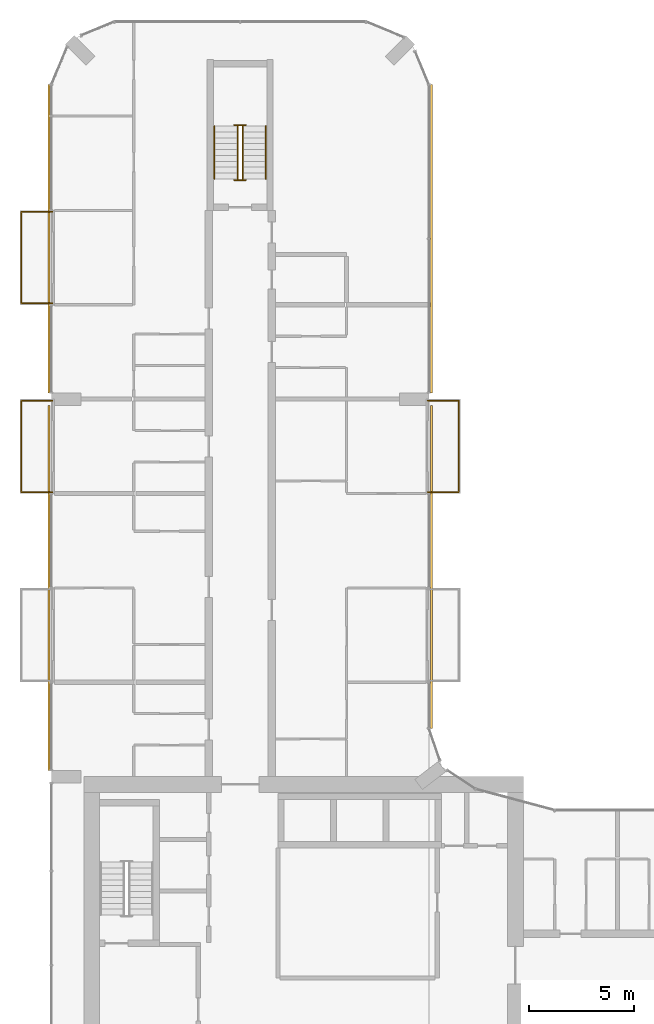
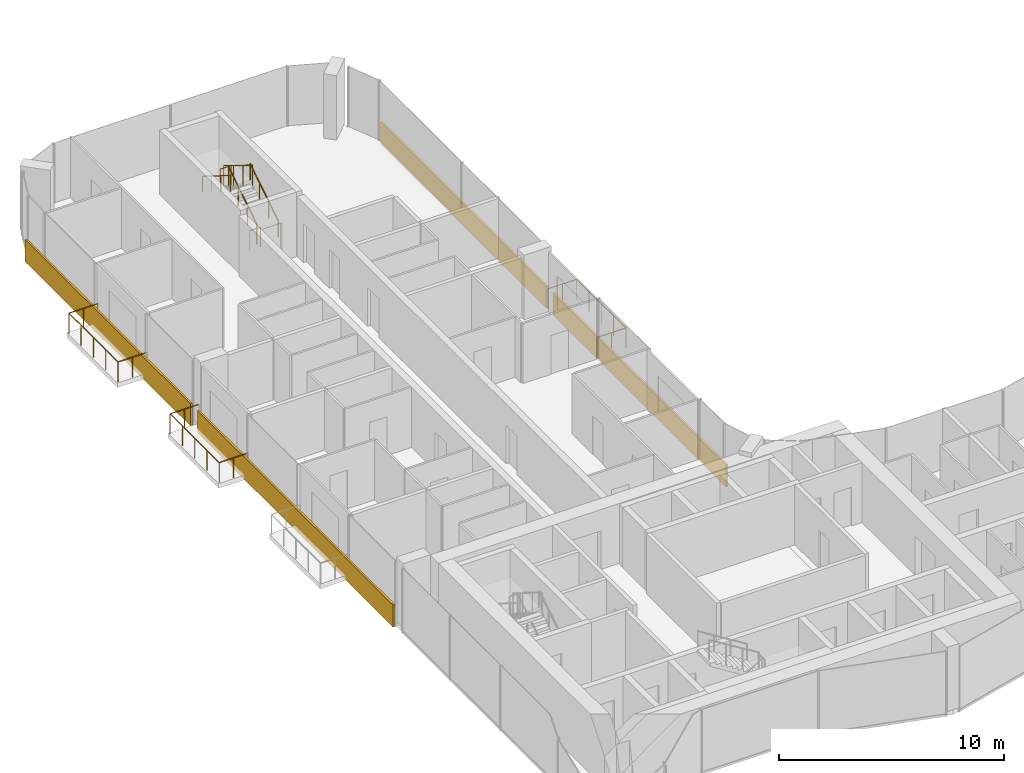
# One storey, part 22 of 23: 9 railings, 4 coverings.
"""IFC4 building model written with IfcOpenShell, lengths in metres."""

from ifc_helpers import new_model, si_unit, direction, frame, origin, origin_2d, place, context, subcontext, project, spatial, rectangle, circle, extrude, material, layer, layer_set, type_object, element, save


model = new_model("IFC4")

# Units and contexts
model_context = context("Model", 3, precision=1e-05, world=origin(), true_north=direction((0.0, 1.0)))
body_context = subcontext(model_context, "Body", "Model", "MODEL_VIEW")
ifc_project = project(units=[si_unit("LENGTHUNIT", "METRE"), si_unit("AREAUNIT", "SQUARE_METRE"), si_unit("VOLUMEUNIT", "CUBIC_METRE"), si_unit("PLANEANGLEUNIT", "RADIAN"), si_unit("MASSUNIT", "GRAM", prefix="KILO")], contexts=[model_context])

# Site, building, storey
site_placement = place(None, origin())
site = spatial("IfcSite", under=ifc_project, at=site_placement, CompositionType="ELEMENT")
building_placement = place(site_placement, origin())
building = spatial("IfcBuilding", under=site, at=building_placement, Name="Plateau Cross Towers", CompositionType="ELEMENT")
storey_placement = place(building_placement, frame((0.0, 0.0, 40.800048828125)))
storey = spatial("IfcBuildingStorey", under=building, at=storey_placement, Name="L09", CompositionType="ELEMENT", Elevation=40.800048828125)

# Railings
ifc_material_1 = material(Name="Stainless steel and toughened glass", Category="steel")
railing_type_1 = type_object("IfcRailingType", Name="Glass balustrade guard 1100", PredefinedType="GUARDRAIL", material=ifc_material_1)
for number, where, name in (
    (1, (0.050048828125, 31.570068359375, 0.0), "Guard guard1"),
    (2, (0.050048828125, 40.570068359375, 0.0), "Guard guard1"),
):
    element("IfcRailing", number, at=place(storey_placement, frame(where)), inside=storey, type_object=railing_type_1, Name=name, PredefinedType="GUARDRAIL", context=body_context, shape_type="SweptSolid", body=[
        extrude(circle(Radius=0.02392578125, at=origin_2d()), frame((0.0, 0.0, 1.076171875), z_axis=(-1.0, 0.0, 0.0), x_axis=(0.0, -1.0, 0.0)), (0.0, 0.0, 1.0), 1.47998046875),
        extrude(circle(Radius=0.02392578125, at=origin_2d()), frame((-1.47998046875, 0.0, 1.076171875), z_axis=(0.0, 1.0, 0.0), x_axis=(-1.0, 0.0, 0.0)), (0.0, 0.0, 1.0), 4.35986328125),
        extrude(circle(Radius=0.02392578125, at=origin_2d()), frame((-1.47998046875, 4.35986328125, 1.076171875), z_axis=(1.0, 0.0, 0.0), x_axis=(0.0, 1.0, 0.0)), (0.0, 0.0, 1.0), 1.47998046875),
        extrude(circle(Radius=0.02099609375, at=origin_2d()), origin(), (0.0, 0.0, 1.0), 1.052001953125),
        extrude(circle(Radius=0.02099609375, at=origin_2d()), frame((-0.739990234375, 0.0, 0.0)), (0.0, 0.0, 1.0), 1.052001953125),
        extrude(circle(Radius=0.02099609375, at=origin_2d()), frame((-1.47998046875, 0.0, 0.0)), (0.0, 0.0, 1.0), 1.052001953125),
        extrude(circle(Radius=0.02099609375, at=origin_2d()), frame((-1.47998046875, 1.08984375, 0.0)), (0.0, 0.0, 1.0), 1.052001953125),
        extrude(circle(Radius=0.02099609375, at=origin_2d()), frame((-1.47998046875, 2.179931640625, 0.0)), (0.0, 0.0, 1.0), 1.052001953125),
        extrude(circle(Radius=0.02099609375, at=origin_2d()), frame((-1.47998046875, 3.27001953125, 0.0)), (0.0, 0.0, 1.0), 1.052001953125),
        extrude(circle(Radius=0.02099609375, at=origin_2d()), frame((-1.47998046875, 4.35986328125, 0.0)), (0.0, 0.0, 1.0), 1.052001953125),
        extrude(circle(Radius=0.02099609375, at=origin_2d()), frame((-0.739990234375, 4.35986328125, 0.0)), (0.0, 0.0, 1.0), 1.052001953125),
        extrude(circle(Radius=0.02099609375, at=origin_2d()), frame((0.0, 4.35986328125, 0.0)), (0.0, 0.0, 1.0), 1.052001953125),
    ])
railing_1_placement = place(storey_placement, frame((17.949951171875, 35.929931640625, 0.0)))
element("IfcRailing", 3, at=railing_1_placement, inside=storey, type_object=railing_type_1, Name="Guard guard1", PredefinedType="GUARDRAIL", context=body_context, shape_type="SweptSolid", body=[
    extrude(circle(Radius=0.02392578125, at=origin_2d()), frame((0.0, 0.0, 1.076171875), z_axis=(1.0, 0.0, 0.0), x_axis=(0.0, 1.0, 0.0)), (0.0, 0.0, 1.0), 1.47998046875),
    extrude(circle(Radius=0.02392578125, at=origin_2d()), frame((1.47998046875, 0.0, 1.076171875), z_axis=(0.0, -1.0, 0.0), x_axis=(1.0, 0.0, 0.0)), (0.0, 0.0, 1.0), 4.35986328125),
    extrude(circle(Radius=0.02392578125, at=origin_2d()), frame((1.47998046875, -4.35986328125, 1.076171875), z_axis=(-1.0, 0.0, 0.0), x_axis=(0.0, -1.0, 0.0)), (0.0, 0.0, 1.0), 1.47998046875),
    extrude(circle(Radius=0.02099609375, at=origin_2d()), origin(), (0.0, 0.0, 1.0), 1.052001953125),
    extrude(circle(Radius=0.02099609375, at=origin_2d()), frame((0.739990234375, 0.0, 0.0)), (0.0, 0.0, 1.0), 1.052001953125),
    extrude(circle(Radius=0.02099609375, at=origin_2d()), frame((1.47998046875, 0.0, 0.0)), (0.0, 0.0, 1.0), 1.052001953125),
    extrude(circle(Radius=0.02099609375, at=origin_2d()), frame((1.47998046875, -1.08984375, 0.0)), (0.0, 0.0, 1.0), 1.052001953125),
    extrude(circle(Radius=0.02099609375, at=origin_2d()), frame((1.47998046875, -2.179931640625, 0.0)), (0.0, 0.0, 1.0), 1.052001953125),
    extrude(circle(Radius=0.02099609375, at=origin_2d()), frame((1.47998046875, -3.27001953125, 0.0)), (0.0, 0.0, 1.0), 1.052001953125),
    extrude(circle(Radius=0.02099609375, at=origin_2d()), frame((1.47998046875, -4.35986328125, 0.0)), (0.0, 0.0, 1.0), 1.052001953125),
    extrude(circle(Radius=0.02099609375, at=origin_2d()), frame((0.739990234375, -4.35986328125, 0.0)), (0.0, 0.0, 1.0), 1.052001953125),
    extrude(circle(Radius=0.02099609375, at=origin_2d()), frame((0.0, -4.35986328125, 0.0)), (0.0, 0.0, 1.0), 1.052001953125),
])
railing_type_2 = type_object("IfcRailingType", Name="RL-GUARD-1100", PredefinedType="GUARDRAIL", material=ifc_material_1)
railing_2_placement = place(storey_placement, frame((9.125, 46.5, 0.175048828125)))
element("IfcRailing", 4, at=railing_2_placement, inside=storey, type_object=railing_type_2, Name="L09 ES-N stair guard 1", PredefinedType="GUARDRAIL", context=body_context, shape_type="SweptSolid", body=[
    extrude(circle(Radius=0.02392578125, at=origin_2d()), frame((0.0, 0.0, 1.076171875), z_axis=(0.0, 0.848007534815, 0.529984170421), x_axis=(-1.0, 0.0, 0.0)), (0.0, 0.0, 1.0), 2.9716796875),
    extrude(circle(Radius=0.02099609375, at=origin_2d()), origin(), (0.0, 0.0, 1.0), 1.052001953125),
    extrude(circle(Radius=0.02099609375, at=origin_2d()), frame((0.0, 0.840087890625, 0.52490234375)), (0.0, 0.0, 1.0), 1.052001953125),
    extrude(circle(Radius=0.02099609375, at=origin_2d()), frame((0.0, 1.679931640625, 1.050048828125)), (0.0, 0.0, 1.0), 1.052001953125),
    extrude(circle(Radius=0.02099609375, at=origin_2d()), frame((0.0, 2.52001953125, 1.574951171875)), (0.0, 0.0, 1.0), 1.052001953125),
])
railing_3_placement = place(storey_placement, frame((9.27490234375, 49.070068359375, 1.75)))
element("IfcRailing", 5, at=railing_3_placement, inside=storey, type_object=railing_type_2, Name="L09 ES-N stair guard 2", PredefinedType="GUARDRAIL", context=body_context, shape_type="SweptSolid", body=[
    extrude(circle(Radius=0.02392578125, at=origin_2d()), frame((0.0, 0.0, 1.076171875), z_axis=(-1.0, 0.0, 0.0), x_axis=(0.0, -1.0, 0.0)), (0.0, 0.0, 1.0), 0.5498046875),
    extrude(circle(Radius=0.02099609375, at=origin_2d()), origin(), (0.0, 0.0, 1.0), 1.052001953125),
    extrude(circle(Radius=0.02099609375, at=origin_2d()), frame((-0.5498046875, 0.0, 0.0)), (0.0, 0.0, 1.0), 1.052001953125),
])
railing_4_placement = place(storey_placement, frame((8.875, 49.02001953125, 1.925048828125)))
element("IfcRailing", 6, at=railing_4_placement, inside=storey, type_object=railing_type_2, Name="L09 ES-N stair guard 3", PredefinedType="GUARDRAIL", context=body_context, shape_type="SweptSolid", body=[
    extrude(circle(Radius=0.02392578125, at=origin_2d()), frame((0.0, 0.0, 1.076171875), z_axis=(0.0, -0.852638500773, 0.522501279423), x_axis=(1.0, 0.0, 0.0)), (0.0, 0.0, 1.0), 3.01416015625),
    extrude(circle(Radius=0.02099609375, at=origin_2d()), origin(), (0.0, 0.0, 1.0), 1.052001953125),
    extrude(circle(Radius=0.02099609375, at=origin_2d()), frame((0.0, -0.856689453125, 0.52490234375)), (0.0, 0.0, 1.0), 1.052001953125),
    extrude(circle(Radius=0.02099609375, at=origin_2d()), frame((0.0, -1.71337890625, 1.050048828125)), (0.0, 0.0, 1.0), 1.052001953125),
    extrude(circle(Radius=0.02099609375, at=origin_2d()), frame((0.0, -2.570068359375, 1.574951171875)), (0.0, 0.0, 1.0), 1.052001953125),
])
railing_5_placement = place(storey_placement, frame((9.27490234375, 46.449951171875, 0.0)))
element("IfcRailing", 7, at=railing_5_placement, inside=storey, type_object=railing_type_2, Name="L09 ES-N stair guard 4", PredefinedType="GUARDRAIL", context=body_context, shape_type="SweptSolid", body=[
    extrude(circle(Radius=0.02392578125, at=origin_2d()), frame((0.0, 0.0, 1.076171875), z_axis=(-1.0, 0.0, 0.0), x_axis=(0.0, -1.0, 0.0)), (0.0, 0.0, 1.0), 0.5498046875),
    extrude(circle(Radius=0.02099609375, at=origin_2d()), origin(), (0.0, 0.0, 1.0), 1.052001953125),
    extrude(circle(Radius=0.02099609375, at=origin_2d()), frame((-0.5498046875, 0.0, 0.0)), (0.0, 0.0, 1.0), 1.052001953125),
])
ifc_material_2 = material(Name="Black anodised aluminium", Category="aluminium")
railing_type_3 = type_object("IfcRailingType", Name="RL-HANDRAIL-900", PredefinedType="HANDRAIL", material=ifc_material_2)
railing_6_placement = place(storey_placement, frame((10.22509765625, 46.5, 0.175048828125)))
element("IfcRailing", 8, at=railing_6_placement, inside=storey, type_object=railing_type_3, Name="L09 ES-N stair handrail 1", PredefinedType="HANDRAIL", context=body_context, shape_type="SweptSolid", body=[
    extrude(circle(Radius=0.02392578125, at=origin_2d()), frame((0.0, 0.0, 0.8759765625), z_axis=(0.0, 0.848007534815, 0.529984170421), x_axis=(-1.0, 0.0, 0.0)), (0.0, 0.0, 1.0), 2.9716796875),
    extrude(circle(Radius=0.02099609375, at=origin_2d()), origin(), (0.0, 0.0, 1.0), 0.851806640625),
    extrude(circle(Radius=0.02099609375, at=origin_2d()), frame((0.0, 0.840087890625, 0.52490234375)), (0.0, 0.0, 1.0), 0.851806640625),
    extrude(circle(Radius=0.02099609375, at=origin_2d()), frame((0.0, 1.679931640625, 1.050048828125)), (0.0, 0.0, 1.0), 0.851806640625),
    extrude(circle(Radius=0.02099609375, at=origin_2d()), frame((0.0, 2.52001953125, 1.574951171875)), (0.0, 0.0, 1.0), 0.851806640625),
])
railing_7_placement = place(storey_placement, frame((7.77490234375, 49.02001953125, 1.925048828125)))
element("IfcRailing", 9, at=railing_7_placement, inside=storey, type_object=railing_type_3, Name="L09 ES-N stair handrail 2", PredefinedType="HANDRAIL", context=body_context, shape_type="SweptSolid", body=[
    extrude(circle(Radius=0.02392578125, at=origin_2d()), frame((0.0, 0.0, 0.8759765625), z_axis=(0.0, -0.848007534815, 0.529984170421), x_axis=(1.0, 0.0, 0.0)), (0.0, 0.0, 1.0), 2.9716796875),
    extrude(circle(Radius=0.02099609375, at=origin_2d()), origin(), (0.0, 0.0, 1.0), 0.851806640625),
    extrude(circle(Radius=0.02099609375, at=origin_2d()), frame((0.0, -0.840087890625, 0.52490234375)), (0.0, 0.0, 1.0), 0.851806640625),
    extrude(circle(Radius=0.02099609375, at=origin_2d()), frame((0.0, -1.679931640625, 1.050048828125)), (0.0, 0.0, 1.0), 0.851806640625),
    extrude(circle(Radius=0.02099609375, at=origin_2d()), frame((0.0, -2.52001953125, 1.574951171875)), (0.0, 0.0, 1.0), 0.851806640625),
])

# Coverings
ifc_material_3 = material(Name="Precast concrete cladding C40/50", Category="concrete")
ifc_layer = layer(ifc_material_3, 0.10009765625)
ifc_layer_set = layer_set([ifc_layer], Name="Precast concrete cladding C40/50")
covering_type = type_object("IfcCoveringType", Name="Spandrel band cladding 100x1200", PredefinedType="CLADDING", material=ifc_layer_set)
covering_1_placement = place(storey_placement, frame((18.1201171875, 28.001220703125, -0.25), z_axis=(0.0, 0.0, 1.0), x_axis=(0.0, 1.0, 0.0)))
element("IfcCovering", 10, at=covering_1_placement, inside=storey, type_object=covering_type, Name="Spandrel band", PredefinedType="CLADDING", context=body_context, shape_type="SweptSolid", body=[
    extrude(rectangle(XDim=15.397705078125, YDim=0.10009765625, at=origin_2d()), origin(), (0.0, 0.0, 1.0), 1.199951171875),
])
for number, where, z_axis, x_axis, name in (
    (11, (18.1201171875, 43.64990234375, -0.25), (0.0, 0.0, 1.0), (0.0, 1.0, 0.0), "Spandrel band"),
    (12, (-0.1201171875, 43.64990234375, -0.25), (0.0, 0.0, 1.0), (0.0, -1.0, 0.0), "Spandrel band"),
):
    element("IfcCovering", number, at=place(storey_placement, frame(where, z_axis=z_axis, x_axis=x_axis)), inside=storey, type_object=covering_type, Name=name, PredefinedType="CLADDING", context=body_context, shape_type="SweptSolid", body=[
        extrude(rectangle(XDim=14.699951171875, YDim=0.10009765625, at=origin_2d()), origin(), (0.0, 0.0, 1.0), 1.199951171875),
    ])
covering_2_placement = place(storey_placement, frame((-0.1201171875, 27.0, -0.25), z_axis=(0.0, 0.0, 1.0), x_axis=(0.0, -1.0, 0.0)))
element("IfcCovering", 13, at=covering_2_placement, inside=storey, type_object=covering_type, Name="Spandrel band", PredefinedType="CLADDING", context=body_context, shape_type="SweptSolid", body=[
    extrude(rectangle(XDim=17.39990234375, YDim=0.10009765625, at=origin_2d()), origin(), (0.0, 0.0, 1.0), 1.199951171875),
])

save(model, "model.ifc")
